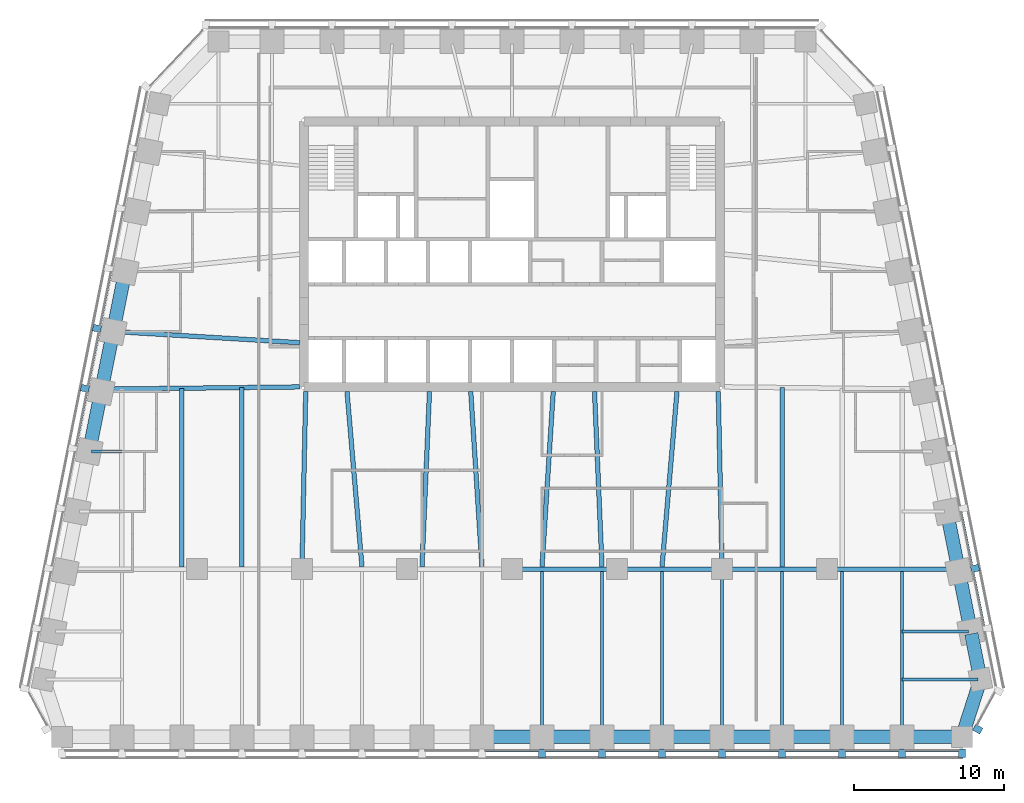
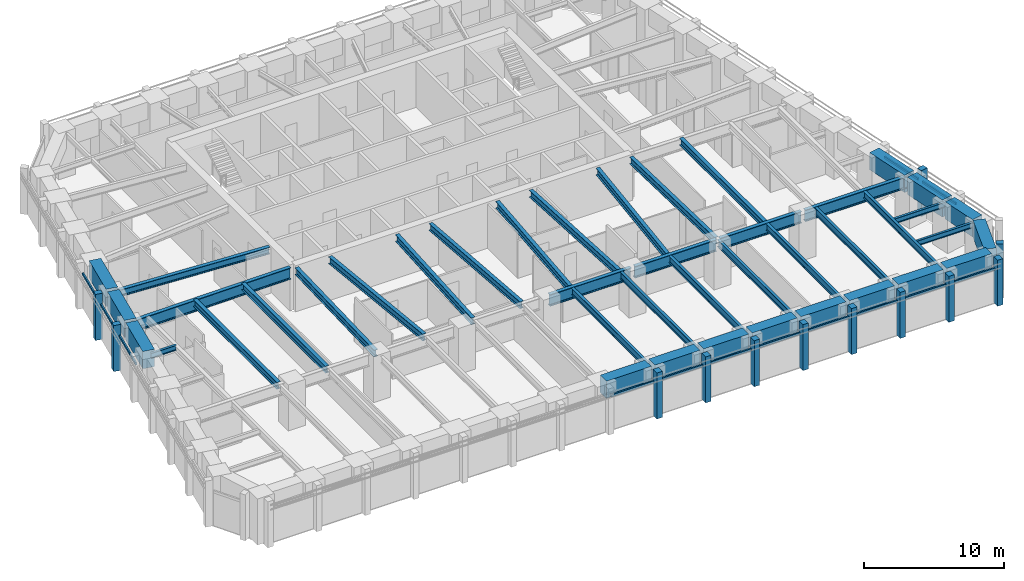
# One storey, part 2 of 10: 42 beams, 25 members, 4 elements without a shape of their own.
"""IFC4 building model written with IfcOpenShell, lengths in metres."""

import ifcopenshell
import ifcopenshell.guid

model = None  # the IFC model being written
_history = None  # IfcOwnerHistory: only IFC2X3 demands one
_inside = {}  # id of a spatial element -> (the spatial element, [elements in it])
_under = {}  # id of a project, library or spatial element -> (it, [spatial elements below it])
_declared = {}  # id of a project -> (the project, [libraries it declares])
_typed = {}  # id of a type object -> (the type object, [elements of that type])
_made_of = {}  # id of a material, layer set ... -> (it, [elements and type objects made of it])


def new_model(schema):
    """Start an empty IFC model of exactly this schema.

    Asked for "IFC4X3", IfcOpenShell would pick the latest addendum, in which some entities
    have other attributes; the version numbers below select the first issue.
    IFC2X3 requires an IfcOwnerHistory on every rooted entity: one is made here for all.
    """
    global model, _history
    if schema == "IFC4X3":
        model = ifcopenshell.file(schema_version=(4, 3, 0, 0))
    else:
        model = ifcopenshell.file(schema=schema)
    _inside.clear()
    _under.clear()
    _declared.clear()
    _typed.clear()
    _made_of.clear()
    _history = None
    if model.schema == "IFC2X3":
        org = make("IfcOrganization", Name="unknown")
        user = make(
            "IfcPersonAndOrganization",
            ThePerson=make("IfcPerson", FamilyName="unknown"),
            TheOrganization=org,
        )
        app = make(
            "IfcApplication",
            ApplicationDeveloper=org,
            Version="unknown",
            ApplicationFullName="unknown",
            ApplicationIdentifier="unknown",
        )
        _history = make(
            "IfcOwnerHistory",
            OwningUser=user,
            OwningApplication=app,
            ChangeAction="ADDED",
            CreationDate=0,
        )
    return model


def make(cls, **values):
    """One entity of the class cls with the attributes given. An attribute that is None is left unset."""
    return model.create_entity(
        cls, **{name: value for name, value in values.items() if value is not None}
    )


def rooted(cls, **values):
    """An entity with a GlobalId (a new one), such as an element, a storey or a relation."""
    return make(cls, GlobalId=ifcopenshell.guid.new(), OwnerHistory=_history, **values)


def si_unit(unit_type, name, prefix=None):
    """IfcSIUnit, for example si_unit("LENGTHUNIT", "METRE", prefix="MILLI")."""
    return make("IfcSIUnit", UnitType=unit_type, Prefix=prefix, Name=name)


def assignment(units):
    """IfcUnitAssignment: the units of a project."""
    return None if units is None else make("IfcUnitAssignment", Units=units)


def point(xyz):
    """IfcCartesianPoint."""
    return None if xyz is None else make("IfcCartesianPoint", Coordinates=xyz)


def direction(xyz):
    """IfcDirection."""
    return None if xyz is None else make("IfcDirection", DirectionRatios=xyz)


def frame(location, z_axis=None, x_axis=None):
    """IfcAxis2Placement3D, a coordinate frame: its origin and axes. An axis left out is left unset."""
    return make(
        "IfcAxis2Placement3D",
        Location=point(location),
        Axis=direction(z_axis),
        RefDirection=direction(x_axis),
    )


def frame_2d(location, x_axis=None):
    """IfcAxis2Placement2D, a coordinate frame in the plane: its origin and x axis."""
    return make(
        "IfcAxis2Placement2D", Location=point(location), RefDirection=direction(x_axis)
    )


def origin():
    """The frame at (0, 0, 0) with its axes left unset."""
    return frame((0.0, 0.0, 0.0))


def origin_2d():
    """The frame at (0, 0) in the plane with its x axis left unset."""
    return frame_2d((0.0, 0.0))


def place(relative_to, where):
    """IfcLocalPlacement: puts the frame where relative to a parent placement (None: the world)."""
    return make(
        "IfcLocalPlacement", PlacementRelTo=relative_to, RelativePlacement=where
    )


def context(
    kind, dimensions, precision=None, world=None, true_north=None, identifier=None
):
    """IfcGeometricRepresentationContext, for example the 3D "Model" context."""
    return make(
        "IfcGeometricRepresentationContext",
        ContextIdentifier=identifier,
        ContextType=kind,
        CoordinateSpaceDimension=dimensions,
        Precision=precision,
        WorldCoordinateSystem=world,
        TrueNorth=true_north,
    )


def subcontext(parent, identifier, kind, view, scale=None):
    """IfcGeometricRepresentationSubContext, for example "Body" below "Model"."""
    return make(
        "IfcGeometricRepresentationSubContext",
        ContextIdentifier=identifier,
        ContextType=kind,
        ParentContext=parent,
        TargetScale=scale,
        TargetView=view,
    )


def project(units=None, contexts=None):
    """IfcProject with its units and contexts."""
    return rooted(
        "IfcProject",
        Name="project",
        RepresentationContexts=contexts,
        UnitsInContext=assignment(units),
    )


def spatial(cls, under=None, at=None, **own):
    """A site, building, storey or space (cls), placed at a placement, below another one or the project."""
    s = rooted(cls, ObjectPlacement=at, **own)
    if under is not None:
        _under.setdefault(under.id(), (under, []))[1].append(s)
    return s


def profile(cls, at=None, kind="AREA", **sizes):
    """A parametric profile (cls). Its sizes go by their IFC names, for example OverallWidth=200.0."""
    return make(cls, ProfileType=kind, Position=at, **sizes)


def rectangle(**sizes):
    """IfcRectangleProfileDef."""
    return profile("IfcRectangleProfileDef", **sizes)


def i_section(**sizes):
    """IfcIShapeProfileDef."""
    return profile("IfcIShapeProfileDef", **sizes)


def extrude(swept, where, along, depth):
    """IfcExtrudedAreaSolid: the profile swept, set in the frame where, extruded along a direction by depth."""
    return make(
        "IfcExtrudedAreaSolid",
        SweptArea=swept,
        Position=where,
        ExtrudedDirection=direction(along),
        Depth=depth,
    )


def shape(context_of_items, identifier, shape_type, items):
    """IfcShapeRepresentation: the items that make up one representation, for example the "Body"."""
    return make(
        "IfcShapeRepresentation",
        ContextOfItems=context_of_items,
        RepresentationIdentifier=identifier,
        RepresentationType=shape_type,
        Items=items,
    )


def material(Name=None, Category=None):
    """IfcMaterial."""
    return make("IfcMaterial", Name=Name, Category=Category)


def material_profile(
    of_material, cross_section, Name=None, Category=None, Priority=None
):
    """IfcMaterialProfile: a cross section and its material."""
    return make(
        "IfcMaterialProfile",
        Name=Name,
        Material=of_material,
        Profile=cross_section,
        Priority=Priority,
        Category=Category,
    )


def profile_set(profiles, Name=None, composite=None):
    """IfcMaterialProfileSet."""
    return make(
        "IfcMaterialProfileSet",
        Name=Name,
        MaterialProfiles=profiles,
        CompositeProfile=composite,
    )


def made_of(thing, what):
    """Note that an element or type object is made of a material, layer set ...; save() writes the relation."""
    if what is not None:
        _made_of.setdefault(what.id(), (what, []))[1].append(thing)
    return thing


def type_object(cls, material=None, **own):
    """A type object (cls), such as IfcWallType, which elements share."""
    return made_of(rooted(cls, **own), material)


def element(
    cls,
    number,
    at=None,
    inside=None,
    cuts=None,
    type_object=None,
    material=None,
    context=None,
    identifier="Body",
    shape_type=None,
    held_by="IfcProductDefinitionShape",
    body=None,
    shapes=None,
    **own,
):
    """One element of the class cls, such as IfcWall. Its Tag is "e" and its number.

    at: its placement. inside: the storey or other place that contains it. cuts: it is an
    opening in that element (IfcRelVoidsElement). A single representation is given by context,
    identifier, shape_type and body (its items); several are given by shapes. held_by: the class
    of the entity that holds the representations. save() writes the other relations.
    """
    e = rooted(cls, Tag="e%d" % number, ObjectPlacement=at, **own)
    if body is not None:
        shapes = [shape(context, identifier, shape_type, body)]
    if shapes is not None:
        e.Representation = make(held_by, Representations=shapes)
    if inside is not None:
        _inside.setdefault(inside.id(), (inside, []))[1].append(e)
    if cuts is not None:
        rooted(
            "IfcRelVoidsElement", RelatingBuildingElement=cuts, RelatedOpeningElement=e
        )
    if type_object is not None:
        _typed.setdefault(type_object.id(), (type_object, []))[1].append(e)
    return made_of(e, material)


def aggregate(whole, parts):
    """IfcRelAggregates: a whole, such as a stair, and the parts it consists of."""
    return rooted("IfcRelAggregates", RelatingObject=whole, RelatedObjects=parts)


def save(model, path):
    """Write the relations noted so far, then the file.

    IfcRelAggregates (storeys below a building ...), IfcRelContainedInSpatialStructure (elements
    in a storey), IfcRelDefinesByType, IfcRelAssociatesMaterial and IfcRelDeclares: one each for
    every whole, place, type object, material and project.
    """
    for whole, parts in _under.values():
        aggregate(whole, parts)
    for where, things in _inside.values():
        rooted(
            "IfcRelContainedInSpatialStructure",
            RelatedElements=things,
            RelatingStructure=where,
        )
    for kind, things in _typed.values():
        rooted("IfcRelDefinesByType", RelatedObjects=things, RelatingType=kind)
    for what, things in _made_of.values():
        rooted("IfcRelAssociatesMaterial", RelatedObjects=things, RelatingMaterial=what)
    for by, libraries in _declared.values():
        rooted("IfcRelDeclares", RelatingContext=by, RelatedDefinitions=libraries)
    model.write(path)


model = new_model("IFC4")

# Units and contexts
model_context = context("Model", 3, precision=1e-05, world=origin(), true_north=direction((0.0, 1.0)))
body_context = subcontext(model_context, "Body", "Model", "MODEL_VIEW")
ifc_project = project(units=[si_unit("LENGTHUNIT", "METRE"), si_unit("AREAUNIT", "SQUARE_METRE"), si_unit("VOLUMEUNIT", "CUBIC_METRE"), si_unit("PLANEANGLEUNIT", "RADIAN"), si_unit("MASSUNIT", "GRAM", prefix="KILO")], contexts=[model_context])

# Site, building, storey
site_placement = place(None, origin())
site = spatial("IfcSite", under=ifc_project, at=site_placement, CompositionType="ELEMENT")
building_placement = place(site_placement, origin())
building = spatial("IfcBuilding", under=site, at=building_placement, Name="Isbrekke Arena Tower", CompositionType="ELEMENT")
storey_placement = place(building_placement, frame((0.0, 0.0, 198.0)))
storey = spatial("IfcBuildingStorey", under=building, at=storey_placement, Name="L45", CompositionType="ELEMENT", Elevation=198.0)

# Beams
ifc_material_1 = material(Name="Steel S355", Category="steel")
ifc_material_profile_1 = material_profile(ifc_material_1, i_section(OverallWidth=0.219970703125, OverallDepth=0.60009765625, WebThickness=0.011962890625, FlangeThickness=0.01904296875, FilletRadius=0.02392578125, at=origin_2d()), Name="IPE 600")
ifc_profile_set_1 = profile_set([ifc_material_profile_1], Name="Steel S355")
beam_type_1 = type_object("IfcBeamType", Name="B1 IPE 600", PredefinedType="BEAM", material=ifc_profile_set_1)
for number, where, z_axis, x_axis, name in (
    (1, (2.0, -17.02490234375, 3.550048828125), (0.0, 1.0, 0.0), (-1.0, 0.0, 0.0), "B1 beam S-S09 L45"),
    (2, (6.0, -17.02490234375, 3.550048828125), (0.0, 1.0, 0.0), (-1.0, 0.0, 0.0), "B1 beam S-S10 L45"),
    (3, (10.0, -17.02490234375, 3.550048828125), (0.0, 1.0, 0.0), (-1.0, 0.0, 0.0), "B1 beam S-S11 L45"),
):
    element("IfcBeam", number, at=place(storey_placement, frame(where, z_axis=z_axis, x_axis=x_axis)), inside=storey, type_object=beam_type_1, Name=name, PredefinedType="BEAM", context=body_context, shape_type="SweptSolid", body=[
        extrude(i_section(OverallWidth=0.219970703125, OverallDepth=0.60009765625, WebThickness=0.011962890625, FlangeThickness=0.01904296875, FilletRadius=0.02392578125, at=origin_2d()), origin(), (0.0, 0.0, 1.0), 10.8740234375),
    ])
beam_1_placement = place(storey_placement, frame((14.0, -17.02490234375, 3.550048828125), z_axis=(0.0, 1.0, 0.0), x_axis=(-1.0, 0.0, 0.0)))
element("IfcBeam", 4, at=beam_1_placement, inside=storey, type_object=beam_type_1, Name="B1 beam S-S12 L45", PredefinedType="BEAM", context=body_context, shape_type="SweptSolid", body=[
    extrude(i_section(OverallWidth=0.219970703125, OverallDepth=0.60009765625, WebThickness=0.011962890625, FlangeThickness=0.01904296875, FilletRadius=0.02392578125, at=origin_2d()), origin(), (0.0, 0.0, 1.0), 10.875),
])
for number, where, z_axis, x_axis, name in (
    (5, (18.0, -17.02490234375, 3.550048828125), (0.0, 1.0, 0.0), (-1.0, 0.0, 0.0), "B1 beam S-S13 L45"),
    (6, (22.0, -17.02490234375, 3.550048828125), (0.0, 1.0, 0.0), (-1.0, 0.0, 0.0), "B1 beam S-S14 L45"),
    (7, (26.0, -17.02490234375, 3.550048828125), (0.0, 1.0, 0.0), (-1.0, 0.0, 0.0), "B1 beam S-S15 L45"),
):
    element("IfcBeam", number, at=place(storey_placement, frame(where, z_axis=z_axis, x_axis=x_axis)), inside=storey, type_object=beam_type_1, Name=name, PredefinedType="BEAM", context=body_context, shape_type="SweptSolid", body=[
        extrude(i_section(OverallWidth=0.219970703125, OverallDepth=0.60009765625, WebThickness=0.011962890625, FlangeThickness=0.01904296875, FilletRadius=0.02392578125, at=origin_2d()), origin(), (0.0, 0.0, 1.0), 10.8740234375),
    ])
ifc_material_2 = material(Name="Steel S355", Category="steel")
ifc_material_profile_2 = material_profile(ifc_material_2, i_section(OverallWidth=0.18994140625, OverallDepth=0.449951171875, WebThickness=0.009521484375, FlangeThickness=0.0146484375, FilletRadius=0.02099609375, at=origin_2d()), Name="IPE 450")
ifc_profile_set_2 = profile_set([ifc_material_profile_2], Name="Steel S355")
beam_type_2 = type_object("IfcBeamType", Name="B2 IPE 450", PredefinedType="BEAM", material=ifc_profile_set_2)
beam_2_placement = place(storey_placement, frame((31.079345703125, -13.352783203125, 3.625), z_axis=(-1.0, 0.0, 0.0), x_axis=(0.0, -1.0, 0.0)))
element("IfcBeam", 8, at=beam_2_placement, inside=storey, type_object=beam_type_2, Name="B2 beam E-E01 L45", PredefinedType="BEAM", context=body_context, shape_type="SweptSolid", body=[
    extrude(i_section(OverallWidth=0.18994140625, OverallDepth=0.449951171875, WebThickness=0.009521484375, FlangeThickness=0.0146484375, FilletRadius=0.02099609375, at=origin_2d()), origin(), (0.0, 0.0, 1.0), 5.079345703125),
])
beam_3_placement = place(storey_placement, frame((30.44091796875, -10.161865234375, 3.625), z_axis=(-1.0, 0.0, 0.0), x_axis=(0.0, -1.0, 0.0)))
element("IfcBeam", 9, at=beam_3_placement, inside=storey, type_object=beam_type_2, Name="B2 beam E-E02 L45", PredefinedType="BEAM", context=body_context, shape_type="SweptSolid", body=[
    extrude(i_section(OverallWidth=0.18994140625, OverallDepth=0.449951171875, WebThickness=0.009521484375, FlangeThickness=0.0146484375, FilletRadius=0.02099609375, at=origin_2d()), origin(), (0.0, 0.0, 1.0), 4.44091796875),
])
beam_4_placement = place(storey_placement, frame((-28.041015625, 1.838134765625, 3.625), z_axis=(1.0, 0.0, 0.0), x_axis=(0.0, 1.0, 0.0)))
element("IfcBeam", 10, at=beam_4_placement, inside=storey, type_object=beam_type_2, Name="B2 beam E-W07 L45", PredefinedType="BEAM", context=body_context, shape_type="SweptSolid", body=[
    extrude(i_section(OverallWidth=0.18994140625, OverallDepth=0.449951171875, WebThickness=0.009521484375, FlangeThickness=0.0146484375, FilletRadius=0.02099609375, at=origin_2d()), origin(), (0.0, 0.0, 1.0), 2.041015625),
])
ifc_material_3 = material(Name="Steel S355", Category="steel")
ifc_material_profile_3 = material_profile(ifc_material_3, i_section(OverallWidth=0.300048828125, OverallDepth=0.60009765625, WebThickness=0.015380859375, FlangeThickness=0.030029296875, FilletRadius=0.027099609375, at=origin_2d()), Name="HEB 600")
ifc_profile_set_3 = profile_set([ifc_material_profile_3], Name="Steel S355")
beam_type_3 = type_object("IfcBeamType", Name="B7 HEB 600", PredefinedType="BEAM", material=ifc_profile_set_3)
beam_5_placement = place(storey_placement, frame((-22.0, -5.84912109375, 3.550048828125), z_axis=(0.0, 1.0, 0.0), x_axis=(-1.0, 0.0, 0.0)))
element("IfcBeam", 11, at=beam_5_placement, inside=storey, type_object=beam_type_3, Name="B7 beam C-M02 L45", PredefinedType="BEAM", context=body_context, shape_type="SweptSolid", body=[
    extrude(i_section(OverallWidth=0.300048828125, OverallDepth=0.60009765625, WebThickness=0.015380859375, FlangeThickness=0.030029296875, FilletRadius=0.027099609375, at=origin_2d()), origin(), (0.0, 0.0, 1.0), 11.91015625),
])
beam_6_placement = place(storey_placement, frame((-18.0, -5.84912109375, 3.550048828125), z_axis=(0.0, 1.0, 0.0), x_axis=(-1.0, 0.0, 0.0)))
element("IfcBeam", 12, at=beam_6_placement, inside=storey, type_object=beam_type_3, Name="B7 beam C-M03 L45", PredefinedType="BEAM", context=body_context, shape_type="SweptSolid", body=[
    extrude(i_section(OverallWidth=0.300048828125, OverallDepth=0.60009765625, WebThickness=0.015380859375, FlangeThickness=0.030029296875, FilletRadius=0.027099609375, at=origin_2d()), origin(), (0.0, 0.0, 1.0), 11.95556640625),
])
beam_7_placement = place(storey_placement, frame((-14.0, -5.8466796875, 3.550048828125), z_axis=(0.021368528218, 0.999771666933, 0.0), x_axis=(-0.999771666933, 0.021368528218, 0.0)))
element("IfcBeam", 13, at=beam_7_placement, inside=storey, type_object=beam_type_3, Name="B7 beam C-M04 L45", PredefinedType="BEAM", context=body_context, shape_type="SweptSolid", body=[
    extrude(i_section(OverallWidth=0.300048828125, OverallDepth=0.60009765625, WebThickness=0.015380859375, FlangeThickness=0.030029296875, FilletRadius=0.027099609375, at=origin_2d()), origin(), (0.0, 0.0, 1.0), 11.699462890625),
])
beam_8_placement = place(storey_placement, frame((-10.0009765625, -5.836181640625, 3.550048828125), z_axis=(-0.085176202372, 0.996365903948, 0.0), x_axis=(-0.996365903948, -0.085176202372, 0.0)))
element("IfcBeam", 14, at=beam_8_placement, inside=storey, type_object=beam_type_3, Name="B7 beam C-M05 L45", PredefinedType="BEAM", context=body_context, shape_type="SweptSolid", body=[
    extrude(i_section(OverallWidth=0.300048828125, OverallDepth=0.60009765625, WebThickness=0.015380859375, FlangeThickness=0.030029296875, FilletRadius=0.027099609375, at=origin_2d()), origin(), (0.0, 0.0, 1.0), 11.72900390625),
])
beam_9_placement = place(storey_placement, frame((-5.999755859375, -5.842529296875, 3.550048828125), z_axis=(0.042702124015, 0.999087848292, 0.0), x_axis=(-0.999087848292, 0.042702124015, 0.0)))
element("IfcBeam", 15, at=beam_9_placement, inside=storey, type_object=beam_type_3, Name="B7 beam C-M06 L45", PredefinedType="BEAM", context=body_context, shape_type="SweptSolid", body=[
    extrude(i_section(OverallWidth=0.300048828125, OverallDepth=0.60009765625, WebThickness=0.015380859375, FlangeThickness=0.030029296875, FilletRadius=0.027099609375, at=origin_2d()), origin(), (0.0, 0.0, 1.0), 11.703369140625),
])
for number, where, z_axis, x_axis, name in (
    (16, (-2.000732421875, -5.83935546875, 3.550048828125), (-0.063966475255, 0.997952047968, 0.0), (-0.997952047968, -0.063966475255, 0.0), "B7 beam C-M07 L45"),
    (17, (2.000732421875, -5.83935546875, 3.550048828125), (0.063966475255, 0.997952047968, 0.0), (-0.997952047968, 0.063966475255, 0.0), "B7 beam C-M08 L45"),
):
    element("IfcBeam", number, at=place(storey_placement, frame(where, z_axis=z_axis, x_axis=x_axis)), inside=storey, type_object=beam_type_3, Name=name, PredefinedType="BEAM", context=body_context, shape_type="SweptSolid", body=[
        extrude(i_section(OverallWidth=0.300048828125, OverallDepth=0.60009765625, WebThickness=0.015380859375, FlangeThickness=0.030029296875, FilletRadius=0.027099609375, at=origin_2d()), origin(), (0.0, 0.0, 1.0), 11.71337890625),
    ])
beam_10_placement = place(storey_placement, frame((5.999755859375, -5.842529296875, 3.550048828125), z_axis=(-0.042702124015, 0.999087848292, 0.0), x_axis=(-0.999087848292, -0.042702124015, 0.0)))
element("IfcBeam", 18, at=beam_10_placement, inside=storey, type_object=beam_type_3, Name="B7 beam C-M09 L45", PredefinedType="BEAM", context=body_context, shape_type="SweptSolid", body=[
    extrude(i_section(OverallWidth=0.300048828125, OverallDepth=0.60009765625, WebThickness=0.015380859375, FlangeThickness=0.030029296875, FilletRadius=0.027099609375, at=origin_2d()), origin(), (0.0, 0.0, 1.0), 11.703369140625),
])
beam_11_placement = place(storey_placement, frame((10.0009765625, -5.836181640625, 3.550048828125), z_axis=(0.085176202372, 0.996365903948, 0.0), x_axis=(-0.996365903948, 0.085176202372, 0.0)))
element("IfcBeam", 19, at=beam_11_placement, inside=storey, type_object=beam_type_3, Name="B7 beam C-M10 L45", PredefinedType="BEAM", context=body_context, shape_type="SweptSolid", body=[
    extrude(i_section(OverallWidth=0.300048828125, OverallDepth=0.60009765625, WebThickness=0.015380859375, FlangeThickness=0.030029296875, FilletRadius=0.027099609375, at=origin_2d()), origin(), (0.0, 0.0, 1.0), 11.72900390625),
])
beam_12_placement = place(storey_placement, frame((14.0, -5.8466796875, 3.550048828125), z_axis=(-0.021368528218, 0.999771666933, 0.0), x_axis=(-0.999771666933, -0.021368528218, 0.0)))
element("IfcBeam", 20, at=beam_12_placement, inside=storey, type_object=beam_type_3, Name="B7 beam C-M11 L45", PredefinedType="BEAM", context=body_context, shape_type="SweptSolid", body=[
    extrude(i_section(OverallWidth=0.300048828125, OverallDepth=0.60009765625, WebThickness=0.015380859375, FlangeThickness=0.030029296875, FilletRadius=0.027099609375, at=origin_2d()), origin(), (0.0, 0.0, 1.0), 11.699462890625),
])
beam_13_placement = place(storey_placement, frame((18.0, -5.84912109375, 3.550048828125), z_axis=(0.0, 1.0, 0.0), x_axis=(-1.0, 0.0, 0.0)))
element("IfcBeam", 21, at=beam_13_placement, inside=storey, type_object=beam_type_3, Name="B7 beam C-M12 L45", PredefinedType="BEAM", context=body_context, shape_type="SweptSolid", body=[
    extrude(i_section(OverallWidth=0.300048828125, OverallDepth=0.60009765625, WebThickness=0.015380859375, FlangeThickness=0.030029296875, FilletRadius=0.027099609375, at=origin_2d()), origin(), (0.0, 0.0, 1.0), 11.95556640625),
])
beam_14_placement = place(storey_placement, frame((-26.43212890625, 9.837646484375, 3.550048828125), z_axis=(0.998201854902, -0.059942112659, 0.0), x_axis=(0.059942112659, 0.998201854902, 0.0)))
element("IfcBeam", 22, at=beam_14_placement, inside=storey, type_object=beam_type_3, Name="B7 beam E-W05 L45", PredefinedType="BEAM", context=body_context, shape_type="SweptSolid", body=[
    extrude(i_section(OverallWidth=0.300048828125, OverallDepth=0.60009765625, WebThickness=0.015380859375, FlangeThickness=0.030029296875, FilletRadius=0.027099609375, at=origin_2d()), origin(), (0.0, 0.0, 1.0), 12.304443359375),
])

# Curtain wall, members
ifc_material_4 = material(Name="Glazed aluminium curtain wall", Category="aluminium")
curtain_wall_type = type_object("IfcCurtainWallType", Name="CWH TOWER CURTAIN WALL HIGH ZONE", PredefinedType="USERDEFINED", material=ifc_material_4)
curtain_wall_1_placement = place(storey_placement, origin())
curtain_wall_1 = element("IfcCurtainWall", 23, at=curtain_wall_1_placement, inside=storey, type_object=curtain_wall_type, Name="CWH curtain wall L45-S", ObjectType="TOWER CURTAIN WALL HIGH ZONE", PredefinedType="USERDEFINED")
ifc_material_5 = material(Name="Aluminium mullion, pale brick slip cladding", Category="masonry")
ifc_material_profile_4 = material_profile(ifc_material_5, rectangle(XDim=0.449951171875, YDim=0.550048828125, at=origin_2d()), Name="PIER 450X550")
ifc_profile_set_4 = profile_set([ifc_material_profile_4], Name="Aluminium mullion, pale brick slip cladding")
member_type_1 = type_object("IfcMemberType", Name="CWH-M PIER MULLION 450 x 550", PredefinedType="MULLION", material=ifc_profile_set_4)
member_1_placement = place(storey_placement, frame((2.0, -18.27490234375, 0.0), z_axis=(0.0, 0.0, 1.0), x_axis=(1.0, 0.0, 0.0)))
member_1 = element("IfcMember", 24, at=member_1_placement, type_object=member_type_1, Name="CWH-M mullion 9", PredefinedType="MULLION", context=body_context, shape_type="SweptSolid", body=[
    extrude(rectangle(XDim=0.449951171875, YDim=0.550048828125, at=origin_2d()), origin(), (0.0, 0.0, 1.0), 4.0),
])
member_2_placement = place(storey_placement, frame((6.0, -18.27490234375, 0.0), z_axis=(0.0, 0.0, 1.0), x_axis=(1.0, 0.0, 0.0)))
member_2 = element("IfcMember", 25, at=member_2_placement, type_object=member_type_1, Name="CWH-M mullion 10", PredefinedType="MULLION", context=body_context, shape_type="SweptSolid", body=[
    extrude(rectangle(XDim=0.449951171875, YDim=0.550048828125, at=origin_2d()), origin(), (0.0, 0.0, 1.0), 4.0),
])
member_3_placement = place(storey_placement, frame((10.0, -18.27490234375, 0.0), z_axis=(0.0, 0.0, 1.0), x_axis=(1.0, 0.0, 0.0)))
member_3 = element("IfcMember", 26, at=member_3_placement, type_object=member_type_1, Name="CWH-M mullion 11", PredefinedType="MULLION", context=body_context, shape_type="SweptSolid", body=[
    extrude(rectangle(XDim=0.449951171875, YDim=0.550048828125, at=origin_2d()), origin(), (0.0, 0.0, 1.0), 4.0),
])
member_4_placement = place(storey_placement, frame((14.0, -18.27490234375, 0.0), z_axis=(0.0, 0.0, 1.0), x_axis=(1.0, 0.0, 0.0)))
member_4 = element("IfcMember", 27, at=member_4_placement, type_object=member_type_1, Name="CWH-M mullion 12", PredefinedType="MULLION", context=body_context, shape_type="SweptSolid", body=[
    extrude(rectangle(XDim=0.449951171875, YDim=0.550048828125, at=origin_2d()), origin(), (0.0, 0.0, 1.0), 4.0),
])
member_5_placement = place(storey_placement, frame((18.0, -18.27490234375, 0.0), z_axis=(0.0, 0.0, 1.0), x_axis=(1.0, 0.0, 0.0)))
member_5 = element("IfcMember", 28, at=member_5_placement, type_object=member_type_1, Name="CWH-M mullion 13", PredefinedType="MULLION", context=body_context, shape_type="SweptSolid", body=[
    extrude(rectangle(XDim=0.449951171875, YDim=0.550048828125, at=origin_2d()), origin(), (0.0, 0.0, 1.0), 4.0),
])
member_6_placement = place(storey_placement, frame((22.0, -18.27490234375, 0.0), z_axis=(0.0, 0.0, 1.0), x_axis=(1.0, 0.0, 0.0)))
member_6 = element("IfcMember", 29, at=member_6_placement, type_object=member_type_1, Name="CWH-M mullion 14", PredefinedType="MULLION", context=body_context, shape_type="SweptSolid", body=[
    extrude(rectangle(XDim=0.449951171875, YDim=0.550048828125, at=origin_2d()), origin(), (0.0, 0.0, 1.0), 4.0),
])
member_7_placement = place(storey_placement, frame((26.0, -18.27490234375, 0.0), z_axis=(0.0, 0.0, 1.0), x_axis=(1.0, 0.0, 0.0)))
member_7 = element("IfcMember", 30, at=member_7_placement, type_object=member_type_1, Name="CWH-M mullion 15", PredefinedType="MULLION", context=body_context, shape_type="SweptSolid", body=[
    extrude(rectangle(XDim=0.449951171875, YDim=0.550048828125, at=origin_2d()), origin(), (0.0, 0.0, 1.0), 4.0),
])
member_8_placement = place(storey_placement, frame((30.0, -18.27490234375, 0.0), z_axis=(0.0, 0.0, 1.0), x_axis=(1.0, 0.0, 0.0)))
member_8 = element("IfcMember", 31, at=member_8_placement, type_object=member_type_1, Name="CWH-M mullion 16", PredefinedType="MULLION", context=body_context, shape_type="SweptSolid", body=[
    extrude(rectangle(XDim=0.449951171875, YDim=0.550048828125, at=origin_2d()), origin(), (0.0, 0.0, 1.0), 4.0),
])

# Curtain wall, member
curtain_wall_2_placement = place(storey_placement, origin())
curtain_wall_2 = element("IfcCurtainWall", 32, at=curtain_wall_2_placement, inside=storey, type_object=curtain_wall_type, Name="CWH curtain wall L45-SE", ObjectType="TOWER CURTAIN WALL HIGH ZONE", PredefinedType="USERDEFINED")
member_9_placement = place(storey_placement, frame((31.047119140625, -16.666748046875, 0.0), z_axis=(0.0, 0.0, 1.0), x_axis=(0.481918749773, 0.876215908676, 0.0)))
member_9 = element("IfcMember", 33, at=member_9_placement, type_object=member_type_1, Name="CWH-M mullion 1", PredefinedType="MULLION", context=body_context, shape_type="SweptSolid", body=[
    extrude(rectangle(XDim=0.449951171875, YDim=0.550048828125, at=origin_2d()), origin(), (0.0, 0.0, 1.0), 4.0),
])
aggregate(curtain_wall_2, [member_9])

curtain_wall_3_placement = place(storey_placement, origin())
curtain_wall_3 = element("IfcCurtainWall", 34, at=curtain_wall_3_placement, inside=storey, type_object=curtain_wall_type, Name="CWH curtain wall L45-E", ObjectType="TOWER CURTAIN WALL HIGH ZONE", PredefinedType="USERDEFINED")
member_10_placement = place(storey_placement, frame((30.86962890625, -5.946044921875, 0.0), z_axis=(0.0, 0.0, 1.0), x_axis=(-0.196116135138, 0.980580675691, 0.0)))
member_10 = element("IfcMember", 35, at=member_10_placement, type_object=member_type_1, Name="CWH-M mullion 2", PredefinedType="MULLION", context=body_context, shape_type="SweptSolid", body=[
    extrude(rectangle(XDim=0.449951171875, YDim=0.550048828125, at=origin_2d()), origin(), (0.0, 0.0, 1.0), 4.0),
])

# Curtain wall, members
curtain_wall_4_placement = place(storey_placement, origin())
curtain_wall_4 = element("IfcCurtainWall", 36, at=curtain_wall_4_placement, inside=storey, type_object=curtain_wall_type, Name="CWH curtain wall L45-W", ObjectType="TOWER CURTAIN WALL HIGH ZONE", PredefinedType="USERDEFINED")
member_11_placement = place(storey_placement, frame((-27.669677734375, 10.053955078125, 0.0), z_axis=(0.0, 0.0, 1.0), x_axis=(-0.196116135138, -0.980580675691, 0.0)))
member_11 = element("IfcMember", 37, at=member_11_placement, type_object=member_type_1, Name="CWH-M mullion 4", PredefinedType="MULLION", context=body_context, shape_type="SweptSolid", body=[
    extrude(rectangle(XDim=0.449951171875, YDim=0.550048828125, at=origin_2d()), origin(), (0.0, 0.0, 1.0), 4.0),
])
member_12_placement = place(storey_placement, frame((-28.4697265625, 6.053955078125, 0.0), z_axis=(0.0, 0.0, 1.0), x_axis=(-0.196116135138, -0.980580675691, 0.0)))
member_12 = element("IfcMember", 38, at=member_12_placement, type_object=member_type_1, Name="CWH-M mullion 5", PredefinedType="MULLION", context=body_context, shape_type="SweptSolid", body=[
    extrude(rectangle(XDim=0.449951171875, YDim=0.550048828125, at=origin_2d()), origin(), (0.0, 0.0, 1.0), 4.0),
])

# Member
ifc_material_6 = material(Name="Aluminium transom", Category="aluminium")
ifc_material_profile_5 = material_profile(ifc_material_6, rectangle(XDim=0.1201171875, YDim=0.199951171875, at=origin_2d()), Name="TRANSOM 120X200")
ifc_profile_set_5 = profile_set([ifc_material_profile_5], Name="Aluminium transom")
member_type_2 = type_object("IfcMemberType", Name="CWH-T TRANSOM 120 x 200", PredefinedType="USERDEFINED", material=ifc_profile_set_5)
member_13_placement = place(storey_placement, frame((-1.77490234375, -18.10009765625, 3.0), z_axis=(1.0, 0.0, 0.0), x_axis=(0.0, 1.0, 0.0)))
member_13 = element("IfcMember", 39, at=member_13_placement, type_object=member_type_2, Name="CWH-T transom 8", ObjectType="TRANSOM", PredefinedType="USERDEFINED", context=body_context, shape_type="SweptSolid", body=[
    extrude(rectangle(XDim=0.1201171875, YDim=0.199951171875, at=origin_2d()), origin(), (0.0, 0.0, 1.0), 3.5498046875),
])

member_14_placement = place(storey_placement, frame((2.22509765625, -18.10009765625, 3.0), z_axis=(1.0, 0.0, 0.0), x_axis=(0.0, 1.0, 0.0)))
member_14 = element("IfcMember", 40, at=member_14_placement, type_object=member_type_2, Name="CWH-T transom 9", ObjectType="TRANSOM", PredefinedType="USERDEFINED", context=body_context, shape_type="SweptSolid", body=[
    extrude(rectangle(XDim=0.1201171875, YDim=0.199951171875, at=origin_2d()), origin(), (0.0, 0.0, 1.0), 3.5498046875),
])

member_15_placement = place(storey_placement, frame((6.22509765625, -18.10009765625, 3.0), z_axis=(1.0, 0.0, 0.0), x_axis=(0.0, 1.0, 0.0)))
member_15 = element("IfcMember", 41, at=member_15_placement, type_object=member_type_2, Name="CWH-T transom 10", ObjectType="TRANSOM", PredefinedType="USERDEFINED", context=body_context, shape_type="SweptSolid", body=[
    extrude(rectangle(XDim=0.1201171875, YDim=0.199951171875, at=origin_2d()), origin(), (0.0, 0.0, 1.0), 3.5498046875),
])

member_16_placement = place(storey_placement, frame((10.22509765625, -18.10009765625, 3.0), z_axis=(1.0, 0.0, 0.0), x_axis=(0.0, 1.0, 0.0)))
member_16 = element("IfcMember", 42, at=member_16_placement, type_object=member_type_2, Name="CWH-T transom 11", ObjectType="TRANSOM", PredefinedType="USERDEFINED", context=body_context, shape_type="SweptSolid", body=[
    extrude(rectangle(XDim=0.1201171875, YDim=0.199951171875, at=origin_2d()), origin(), (0.0, 0.0, 1.0), 3.5498046875),
])

member_17_placement = place(storey_placement, frame((14.22509765625, -18.10009765625, 3.0), z_axis=(1.0, 0.0, 0.0), x_axis=(0.0, 1.0, 0.0)))
member_17 = element("IfcMember", 43, at=member_17_placement, type_object=member_type_2, Name="CWH-T transom 12", ObjectType="TRANSOM", PredefinedType="USERDEFINED", context=body_context, shape_type="SweptSolid", body=[
    extrude(rectangle(XDim=0.1201171875, YDim=0.199951171875, at=origin_2d()), origin(), (0.0, 0.0, 1.0), 3.5498046875),
])

member_18_placement = place(storey_placement, frame((18.22509765625, -18.10009765625, 3.0), z_axis=(1.0, 0.0, 0.0), x_axis=(0.0, 1.0, 0.0)))
member_18 = element("IfcMember", 44, at=member_18_placement, type_object=member_type_2, Name="CWH-T transom 13", ObjectType="TRANSOM", PredefinedType="USERDEFINED", context=body_context, shape_type="SweptSolid", body=[
    extrude(rectangle(XDim=0.1201171875, YDim=0.199951171875, at=origin_2d()), origin(), (0.0, 0.0, 1.0), 3.5498046875),
])

member_19_placement = place(storey_placement, frame((22.22509765625, -18.10009765625, 3.0), z_axis=(1.0, 0.0, 0.0), x_axis=(0.0, 1.0, 0.0)))
member_19 = element("IfcMember", 45, at=member_19_placement, type_object=member_type_2, Name="CWH-T transom 14", ObjectType="TRANSOM", PredefinedType="USERDEFINED", context=body_context, shape_type="SweptSolid", body=[
    extrude(rectangle(XDim=0.1201171875, YDim=0.199951171875, at=origin_2d()), origin(), (0.0, 0.0, 1.0), 3.5498046875),
])

member_20_placement = place(storey_placement, frame((26.22509765625, -18.10009765625, 3.0), z_axis=(1.0, 0.0, 0.0), x_axis=(0.0, 1.0, 0.0)))
member_20 = element("IfcMember", 46, at=member_20_placement, type_object=member_type_2, Name="CWH-T transom 15", ObjectType="TRANSOM", PredefinedType="USERDEFINED", context=body_context, shape_type="SweptSolid", body=[
    extrude(rectangle(XDim=0.1201171875, YDim=0.199951171875, at=origin_2d()), origin(), (0.0, 0.0, 1.0), 3.5498046875),
])

aggregate(curtain_wall_1, [member_1, member_2, member_3, member_4, member_5, member_6, member_7, member_8, member_13, member_14, member_15, member_16, member_17, member_18, member_19, member_20])

member_21_placement = place(storey_placement, frame((31.453857421875, -9.759765625, 3.0), z_axis=(-0.196090262229, 0.980585849918, 0.0), x_axis=(-0.980585849918, -0.196090262229, 0.0)))
member_21 = element("IfcMember", 47, at=member_21_placement, type_object=member_type_2, Name="CWH-T transom 2", ObjectType="TRANSOM", PredefinedType="USERDEFINED", context=body_context, shape_type="SweptSolid", body=[
    extrude(rectangle(XDim=0.1201171875, YDim=0.199951171875, at=origin_2d()), origin(), (0.0, 0.0, 1.0), 3.62939453125),
])

member_22_placement = place(storey_placement, frame((30.654052734375, -5.759765625, 3.0), z_axis=(-0.196154943734, 0.980572913173, 0.0), x_axis=(-0.980572913173, -0.196154943734, 0.0)))
member_22 = element("IfcMember", 48, at=member_22_placement, type_object=member_type_2, Name="CWH-T transom 3", ObjectType="TRANSOM", PredefinedType="USERDEFINED", context=body_context, shape_type="SweptSolid", body=[
    extrude(rectangle(XDim=0.1201171875, YDim=0.199951171875, at=origin_2d()), origin(), (0.0, 0.0, 1.0), 3.62939453125),
])

aggregate(curtain_wall_3, [member_10, member_21, member_22])

member_23_placement = place(storey_placement, frame((-26.7421875, 13.799072265625, 3.0), z_axis=(-0.196090262229, -0.980585849918, 0.0), x_axis=(0.980585849918, -0.196090262229, 0.0)))
member_23 = element("IfcMember", 49, at=member_23_placement, type_object=member_type_2, Name="CWH-T transom 4", ObjectType="TRANSOM", PredefinedType="USERDEFINED", context=body_context, shape_type="SweptSolid", body=[
    extrude(rectangle(XDim=0.1201171875, YDim=0.199951171875, at=origin_2d()), origin(), (0.0, 0.0, 1.0), 3.62939453125),
])

member_24_placement = place(storey_placement, frame((-27.542236328125, 9.799072265625, 3.0), z_axis=(-0.196090262229, -0.980585849918, 0.0), x_axis=(0.980585849918, -0.196090262229, 0.0)))
member_24 = element("IfcMember", 50, at=member_24_placement, type_object=member_type_2, Name="CWH-T transom 5", ObjectType="TRANSOM", PredefinedType="USERDEFINED", context=body_context, shape_type="SweptSolid", body=[
    extrude(rectangle(XDim=0.1201171875, YDim=0.199951171875, at=origin_2d()), origin(), (0.0, 0.0, 1.0), 3.62939453125),
])

member_25_placement = place(storey_placement, frame((-28.34228515625, 5.799072265625, 3.0), z_axis=(-0.196090262229, -0.980585849918, 0.0), x_axis=(0.980585849918, -0.196090262229, 0.0)))
member_25 = element("IfcMember", 51, at=member_25_placement, type_object=member_type_2, Name="CWH-T transom 6", ObjectType="TRANSOM", PredefinedType="USERDEFINED", context=body_context, shape_type="SweptSolid", body=[
    extrude(rectangle(XDim=0.1201171875, YDim=0.199951171875, at=origin_2d()), origin(), (0.0, 0.0, 1.0), 3.62939453125),
])

aggregate(curtain_wall_4, [member_11, member_12, member_23, member_24, member_25])

# Beams
ifc_material_7 = material(Name="Steel S355", Category="steel")
ifc_material_profile_6 = material_profile(ifc_material_7, i_section(OverallWidth=0.302001953125, OverallDepth=1.008056640625, WebThickness=0.02099609375, FlangeThickness=0.0400390625, FilletRadius=0.030029296875, at=origin_2d()), Name="HEM 1000")
ifc_profile_set_6 = profile_set([ifc_material_profile_6], Name="Steel S355")
beam_type_4 = type_object("IfcBeamType", Name="G1 HEM 1000", PredefinedType="BEAM", material=ifc_profile_set_6)
for number, where, z_axis, x_axis, name in (
    (52, (0.14990234375, -6.0, 3.345947265625), (1.0, 0.0, 0.0), (0.0, 1.0, 0.0), "G1 beam G1-05 L45"),
    (53, (7.14990234375, -6.0, 3.345947265625), (1.0, 0.0, 0.0), (0.0, 1.0, 0.0), "G1 beam G1-06 L45"),
    (54, (14.14990234375, -6.0, 3.345947265625), (1.0, 0.0, 0.0), (0.0, 1.0, 0.0), "G1 beam G1-07 L45"),
):
    element("IfcBeam", number, at=place(storey_placement, frame(where, z_axis=z_axis, x_axis=x_axis)), inside=storey, type_object=beam_type_4, Name=name, PredefinedType="BEAM", context=body_context, shape_type="SweptSolid", body=[
        extrude(i_section(OverallWidth=0.302001953125, OverallDepth=1.008056640625, WebThickness=0.02099609375, FlangeThickness=0.0400390625, FilletRadius=0.030029296875, at=origin_2d()), origin(), (0.0, 0.0, 1.0), 6.7001953125),
    ])
beam_15_placement = place(storey_placement, frame((21.14990234375, -6.0, 3.345947265625), z_axis=(1.0, 0.0, 0.0), x_axis=(0.0, 1.0, 0.0)))
element("IfcBeam", 55, at=beam_15_placement, inside=storey, type_object=beam_type_4, Name="G1 beam G1-08 L45", PredefinedType="BEAM", context=body_context, shape_type="SweptSolid", body=[
    extrude(i_section(OverallWidth=0.302001953125, OverallDepth=1.008056640625, WebThickness=0.02099609375, FlangeThickness=0.0400390625, FilletRadius=0.030029296875, at=origin_2d()), origin(), (0.0, 0.0, 1.0), 8.64111328125),
])
ifc_material_8 = material(Name="Steel S355", Category="steel")
ifc_material_profile_7 = material_profile(ifc_material_8, i_section(OverallWidth=0.302001953125, OverallDepth=1.008056640625, WebThickness=0.02099609375, FlangeThickness=0.0400390625, FilletRadius=0.030029296875, at=origin_2d()), Name="HEM 1000")
ifc_profile_set_7 = profile_set([ifc_material_profile_7], Name="Steel S355")
beam_type_5 = type_object("IfcBeamType", Name="G2 HEM 1000", PredefinedType="BEAM", material=ifc_profile_set_7)
beam_16_placement = place(storey_placement, frame((-14.14990234375, 6.14990234375, 3.345947265625), z_axis=(-0.999935908299, -0.011321629528, 0.0), x_axis=(0.011321629528, -0.999935908299, 0.0)))
element("IfcBeam", 56, at=beam_16_placement, inside=storey, type_object=beam_type_5, Name="G2 beam G2-W L45", PredefinedType="BEAM", context=body_context, shape_type="SweptSolid", body=[
    extrude(i_section(OverallWidth=0.302001953125, OverallDepth=1.008056640625, WebThickness=0.02099609375, FlangeThickness=0.0400390625, FilletRadius=0.030029296875, at=origin_2d()), origin(), (0.0, 0.0, 1.0), 13.240234375),
])
ifc_material_9 = material(Name="Concrete B65 (C65/80)", Category="concrete")
ifc_material_profile_8 = material_profile(ifc_material_9, rectangle(XDim=0.89990234375, YDim=1.5, at=origin_2d()), Name="RC 900x1500")
ifc_profile_set_8 = profile_set([ifc_material_profile_8], Name="Concrete B65 (C65/80)")
beam_type_6 = type_object("IfcBeamType", Name="SB3 RC 900 x 1500", PredefinedType="SPANDREL", material=ifc_profile_set_8)
for number, where, z_axis, x_axis, name in (
    (57, (-1.85009765625, -17.175048828125, 3.25), (1.0, 0.0, 0.0), (0.0, 1.0, 0.0), "SB3 spandrel S08-S09 L45"),
    (58, (2.14990234375, -17.175048828125, 3.25), (1.0, 0.0, 0.0), (0.0, 1.0, 0.0), "SB3 spandrel S09-S10 L45"),
    (59, (6.14990234375, -17.175048828125, 3.25), (1.0, 0.0, 0.0), (0.0, 1.0, 0.0), "SB3 spandrel S10-S11 L45"),
    (60, (10.14990234375, -17.175048828125, 3.25), (1.0, 0.0, 0.0), (0.0, 1.0, 0.0), "SB3 spandrel S11-S12 L45"),
    (61, (14.14990234375, -17.175048828125, 3.25), (1.0, 0.0, 0.0), (0.0, 1.0, 0.0), "SB3 spandrel S12-S13 L45"),
    (62, (18.14990234375, -17.175048828125, 3.25), (1.0, 0.0, 0.0), (0.0, 1.0, 0.0), "SB3 spandrel S13-S14 L45"),
    (63, (22.14990234375, -17.175048828125, 3.25), (1.0, 0.0, 0.0), (0.0, 1.0, 0.0), "SB3 spandrel S14-S15 L45"),
    (64, (26.14990234375, -17.175048828125, 3.25), (1.0, 0.0, 0.0), (0.0, 1.0, 0.0), "SB3 spandrel S15-S16 L45"),
):
    element("IfcBeam", number, at=place(storey_placement, frame(where, z_axis=z_axis, x_axis=x_axis)), inside=storey, type_object=beam_type_6, Name=name, PredefinedType="SPANDREL", context=body_context, shape_type="SweptSolid", body=[
        extrude(rectangle(XDim=0.89990234375, YDim=1.5, at=origin_2d()), origin(), (0.0, 0.0, 1.0), 3.7001953125),
    ])
beam_17_placement = place(storey_placement, frame((30.0458984375, -17.0322265625, 3.25), z_axis=(0.306175101476, 0.951975213562, 0.0), x_axis=(-0.951975213562, 0.306175101476, 0.0)))
element("IfcBeam", 65, at=beam_17_placement, inside=storey, type_object=beam_type_6, Name="SB3 spandrel S16-E01 L45", PredefinedType="SPANDREL", context=body_context, shape_type="SweptSolid", body=[
    extrude(rectangle(XDim=0.89990234375, YDim=1.5, at=origin_2d()), origin(), (0.0, 0.0, 1.0), 3.715087890625),
])
beam_18_placement = place(storey_placement, frame((31.19970703125, -13.205810546875, 3.25), z_axis=(-0.196100243168, 0.980583853951, 0.0), x_axis=(-0.980583853951, -0.196100243168, 0.0)))
element("IfcBeam", 66, at=beam_18_placement, inside=storey, type_object=beam_type_6, Name="SB3 spandrel E01-E02 L45", PredefinedType="SPANDREL", context=body_context, shape_type="SweptSolid", body=[
    extrude(rectangle(XDim=0.89990234375, YDim=1.5, at=origin_2d()), origin(), (0.0, 0.0, 1.0), 2.954345703125),
])
beam_19_placement = place(storey_placement, frame((30.5615234375, -10.0146484375, 3.25), z_axis=(-0.1960664412, 0.980590613169, 0.0), x_axis=(-0.980590613169, -0.1960664412, 0.0)))
element("IfcBeam", 67, at=beam_19_placement, inside=storey, type_object=beam_type_6, Name="SB3 spandrel E02-E03 L45", PredefinedType="SPANDREL", context=body_context, shape_type="SweptSolid", body=[
    extrude(rectangle(XDim=0.89990234375, YDim=1.5, at=origin_2d()), origin(), (0.0, 0.0, 1.0), 3.779052734375),
])
beam_20_placement = place(storey_placement, frame((29.76171875, -6.0146484375, 3.25), z_axis=(-0.196128558387, 0.980578190959, 0.0), x_axis=(-0.980578190959, -0.196128558387, 0.0)))
element("IfcBeam", 68, at=beam_20_placement, inside=storey, type_object=beam_type_6, Name="SB3 spandrel E03-E04 L45", PredefinedType="SPANDREL", context=body_context, shape_type="SweptSolid", body=[
    extrude(rectangle(XDim=0.89990234375, YDim=1.5, at=origin_2d()), origin(), (0.0, 0.0, 1.0), 3.779296875),
])
beam_21_placement = place(storey_placement, frame((-25.820556640625, 13.691162109375, 3.25), z_axis=(-0.1960664412, -0.980590613169, 0.0), x_axis=(0.980590613169, -0.1960664412, 0.0)))
element("IfcBeam", 69, at=beam_21_placement, inside=storey, type_object=beam_type_6, Name="SB3 spandrel W04-W05 L45", PredefinedType="SPANDREL", context=body_context, shape_type="SweptSolid", body=[
    extrude(rectangle(XDim=0.89990234375, YDim=1.5, at=origin_2d()), origin(), (0.0, 0.0, 1.0), 3.779052734375),
])
for number, where, z_axis, x_axis, name in (
    (70, (-26.620361328125, 9.691162109375, 3.25), (-0.196128558387, -0.980578190959, 0.0), (0.980578190959, -0.196128558387, 0.0), "SB3 spandrel W05-W06 L45"),
    (71, (-27.42041015625, 5.691162109375, 3.25), (-0.196128558387, -0.980578190959, 0.0), (0.980578190959, -0.196128558387, 0.0), "SB3 spandrel W06-W07 L45"),
):
    element("IfcBeam", number, at=place(storey_placement, frame(where, z_axis=z_axis, x_axis=x_axis)), inside=storey, type_object=beam_type_6, Name=name, PredefinedType="SPANDREL", context=body_context, shape_type="SweptSolid", body=[
        extrude(rectangle(XDim=0.89990234375, YDim=1.5, at=origin_2d()), origin(), (0.0, 0.0, 1.0), 3.779296875),
    ])

save(model, "model.ifc")
